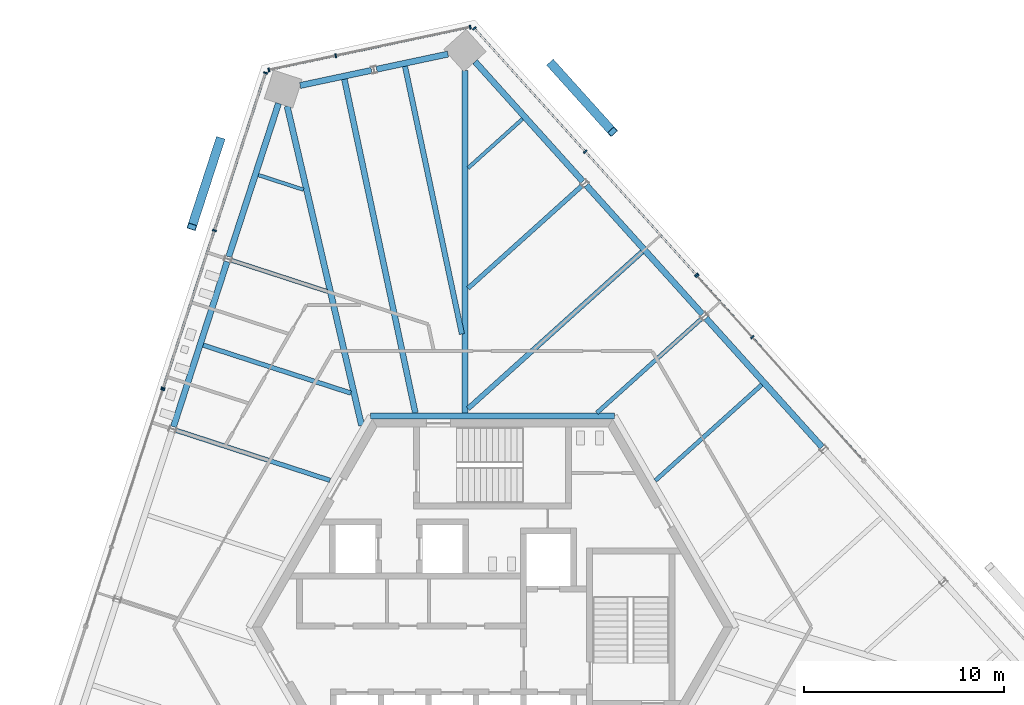
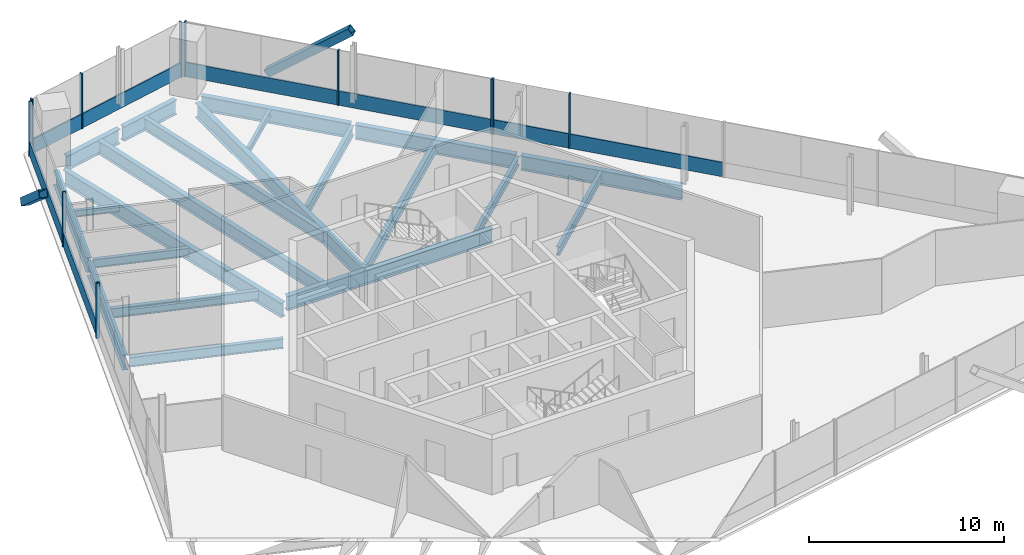
# One storey, part 7 of 14: 22 members, 21 beams, 5 elements without a shape of their own.
"""IFC4 building model written with IfcOpenShell, lengths in metres."""

from ifc_helpers import new_model, si_unit, direction, frame, origin, origin_2d, place, context, subcontext, project, spatial, rectangle, hollow_rectangle, i_section, extrude, source, transform, mapped, material, material_profile, profile_set, type_object, element, aggregate, save


model = new_model("IFC4")

# Units and contexts
model_context = context("Model", 3, precision=1e-05, world=origin(), true_north=direction((0.0, 1.0)))
body_context = subcontext(model_context, "Body", "Model", "MODEL_VIEW")
ifc_project = project(units=[si_unit("LENGTHUNIT", "METRE"), si_unit("AREAUNIT", "SQUARE_METRE"), si_unit("VOLUMEUNIT", "CUBIC_METRE"), si_unit("PLANEANGLEUNIT", "RADIAN"), si_unit("MASSUNIT", "GRAM", prefix="KILO")], contexts=[model_context])

# Site, building, storey
site_placement = place(None, origin())
site = spatial("IfcSite", under=ifc_project, at=site_placement, CompositionType="ELEMENT")
building_placement = place(site_placement, origin())
building = spatial("IfcBuilding", under=site, at=building_placement, Name="Triune Harvest Tower", CompositionType="ELEMENT")
storey_placement = place(building_placement, frame((0.0, 0.0, 263.10009765625)))
storey = spatial("IfcBuildingStorey", under=building, at=storey_placement, Name="L69", CompositionType="ELEMENT", Elevation=263.10009765625)

# Beams
ifc_material_1 = material(Name="Steel ASTM A992 Gr 50", Category="steel")
ifc_material_profile_1 = material_profile(ifc_material_1, i_section(OverallWidth=0.3046875, OverallDepth=0.914306640625, WebThickness=0.0166015625, FlangeThickness=0.02587890625, at=origin_2d()), Name="W36x160")
ifc_profile_set_1 = profile_set([ifc_material_profile_1], Name="Steel ASTM A992 Gr 50")
beam_type_1 = type_object("IfcBeamType", Name="CG-1 Core ring girder W36x160", PredefinedType="BEAM", material=ifc_profile_set_1)
shared_shape_1 = source(origin(), body_context, "Body", "SweptSolid", [
    extrude(i_section(OverallWidth=0.3046875, OverallDepth=0.914306640625, WebThickness=0.0166015625, FlangeThickness=0.02587890625, at=origin_2d()), origin(), (0.0, 0.0, 1.0), 12.17578125),
])
beam_1_placement = place(storey_placement, frame((6.087890625, 10.544677734375, -0.6171875), z_axis=(-1.0, 0.0, 0.0), x_axis=(0.0, -1.0, 0.0)))
element("IfcBeam", 1, at=beam_1_placement, inside=storey, type_object=beam_type_1, Name="beam/L69/CG2", PredefinedType="BEAM", context=body_context, shape_type="MappedRepresentation", body=[
    mapped(shared_shape_1, transform((0.0, 0.0, 0.0), scale=1.0)),
])
ifc_material_2 = material(Name="Steel ASTM A992 Gr 50", Category="steel")
ifc_material_profile_2 = material_profile(ifc_material_2, i_section(OverallWidth=0.3046875, OverallDepth=0.914306640625, WebThickness=0.0166015625, FlangeThickness=0.02587890625, at=origin_2d()), Name="W36x160")
ifc_profile_set_2 = profile_set([ifc_material_profile_2], Name="Steel ASTM A992 Gr 50")
beam_type_2 = type_object("IfcBeamType", Name="SB-1 Spandrel beam W36x160", PredefinedType="SPANDREL", material=ifc_profile_set_2)
shared_shape_2 = source(origin(), body_context, "Body", "SweptSolid", [
    extrude(i_section(OverallWidth=0.3046875, OverallDepth=0.914306640625, WebThickness=0.0166015625, FlangeThickness=0.02587890625, at=origin_2d()), origin(), (0.0, 0.0, 1.0), 8.0498046875),
])
for number, where, z_axis, x_axis, name in (
    (2, (4.511474609375, 22.25537109375, -0.6171875), (-0.669152382485, 0.743125217588, 0.0), (-0.743125217588, -0.669152382485, 0.0), "beam/L69/SB5"),
    (3, (-10.685791015625, 26.152099609375, -0.6171875), (-0.30902160762, -0.951055017348, 0.0), (0.951055017348, -0.30902160762, 0.0), "beam/L69/SB8"),
):
    element("IfcBeam", number, at=place(storey_placement, frame(where, z_axis=z_axis, x_axis=x_axis)), inside=storey, type_object=beam_type_2, Name=name, PredefinedType="SPANDREL", context=body_context, shape_type="MappedRepresentation", body=[
        mapped(shared_shape_2, transform((0.0, 0.0, 0.0), scale=1.0)),
    ])
shared_shape_3 = source(origin(), body_context, "Body", "SweptSolid", [
    extrude(i_section(OverallWidth=0.3046875, OverallDepth=0.914306640625, WebThickness=0.0166015625, FlangeThickness=0.02587890625, at=origin_2d()), origin(), (0.0, 0.0, 1.0), 8.671630859375),
])
beam_2_placement = place(storey_placement, frame((16.45947265625, 8.985595703125, -0.6171875), z_axis=(-0.669129593336, 0.743145737606, 0.0), x_axis=(-0.743145737606, -0.669129593336, 0.0)))
element("IfcBeam", 4, at=beam_2_placement, inside=storey, type_object=beam_type_2, Name="beam/L69/SB3", PredefinedType="SPANDREL", context=body_context, shape_type="MappedRepresentation", body=[
    mapped(shared_shape_3, transform((0.0, 0.0, 0.0), scale=1.0)),
])
shared_shape_4 = source(origin(), body_context, "Body", "SweptSolid", [
    extrude(i_section(OverallWidth=0.3046875, OverallDepth=0.914306640625, WebThickness=0.0166015625, FlangeThickness=0.02587890625, at=origin_2d()), origin(), (0.0, 0.0, 1.0), 8.67138671875),
])
for number, where, z_axis, x_axis, name in (
    (5, (10.4853515625, 15.62060546875, -0.6171875), (-0.669128044683, 0.743147132013, 0.0), (-0.743147132013, -0.669128044683, 0.0), "beam/L69/SB4"),
    (6, (-13.252685546875, 18.25244140625, -0.6171875), (-0.309022409974, -0.951054756643, 0.0), (0.951054756643, -0.309022409974, 0.0), "beam/L69/SB9"),
):
    element("IfcBeam", number, at=place(storey_placement, frame(where, z_axis=z_axis, x_axis=x_axis)), inside=storey, type_object=beam_type_2, Name=name, PredefinedType="SPANDREL", context=body_context, shape_type="MappedRepresentation", body=[
        mapped(shared_shape_4, transform((0.0, 0.0, 0.0), scale=1.0)),
    ])
shared_shape_5 = source(origin(), body_context, "Body", "SweptSolid", [
    extrude(i_section(OverallWidth=0.3046875, OverallDepth=0.914306640625, WebThickness=0.0166015625, FlangeThickness=0.02587890625, at=origin_2d()), origin(), (0.0, 0.0, 1.0), 3.645751953125),
])
beam_3_placement = place(storey_placement, frame((-2.223876953125, 28.61474609375, -0.6171875), z_axis=(-0.978145063506, -0.207923627178, 0.0), x_axis=(0.207923627178, -0.978145063506, 0.0)))
element("IfcBeam", 7, at=beam_3_placement, inside=storey, type_object=beam_type_2, Name="beam/L69/SB6", PredefinedType="SPANDREL", context=body_context, shape_type="MappedRepresentation", body=[
    mapped(shared_shape_5, transform((0.0, 0.0, 0.0), scale=1.0)),
])
shared_shape_6 = source(origin(), body_context, "Body", "SweptSolid", [
    extrude(i_section(OverallWidth=0.3046875, OverallDepth=0.914306640625, WebThickness=0.0166015625, FlangeThickness=0.02587890625, at=origin_2d()), origin(), (0.0, 0.0, 1.0), 3.6455078125),
])
beam_4_placement = place(storey_placement, frame((-6.041015625, 27.803466796875, -0.6171875), z_axis=(-0.978142168213, -0.207937247179, 0.0), x_axis=(0.207937247179, -0.978142168213, 0.0)))
element("IfcBeam", 8, at=beam_4_placement, inside=storey, type_object=beam_type_2, Name="beam/L69/SB7", PredefinedType="SPANDREL", context=body_context, shape_type="MappedRepresentation", body=[
    mapped(shared_shape_6, transform((0.0, 0.0, 0.0), scale=1.0)),
])
ifc_material_3 = material(Name="Steel ASTM A992 Gr 50", Category="steel")
ifc_material_profile_3 = material_profile(ifc_material_3, i_section(OverallWidth=0.3046875, OverallDepth=0.914306640625, WebThickness=0.0166015625, FlangeThickness=0.02587890625, at=origin_2d()), Name="W36x160")
ifc_profile_set_3 = profile_set([ifc_material_profile_3], Name="Steel ASTM A992 Gr 50")
beam_type_3 = type_object("IfcBeamType", Name="HG-3 Hip girder W36x160", PredefinedType="BEAM", material=ifc_profile_set_3)
shared_shape_7 = source(origin(), body_context, "Body", "SweptSolid", [
    extrude(i_section(OverallWidth=0.3046875, OverallDepth=0.914306640625, WebThickness=0.0166015625, FlangeThickness=0.02587890625, at=origin_2d()), origin(), (0.0, 0.0, 1.0), 17.088623046875),
])
beam_5_placement = place(storey_placement, frame((-1.376708984375, 27.78564453125, -0.6171875), z_axis=(0.0, -1.0, 0.0), x_axis=(1.0, 0.0, 0.0)))
element("IfcBeam", 9, at=beam_5_placement, inside=storey, type_object=beam_type_3, Name="beam/L69/HG2", PredefinedType="BEAM", context=body_context, shape_type="MappedRepresentation", body=[
    mapped(shared_shape_7, transform((0.0, 0.0, 0.0), scale=1.0)),
])
shared_shape_8 = source(origin(), body_context, "Body", "SweptSolid", [
    extrude(i_section(OverallWidth=0.3046875, OverallDepth=0.914306640625, WebThickness=0.0166015625, FlangeThickness=0.02587890625, at=origin_2d()), origin(), (0.0, 0.0, 1.0), 16.37060546875),
])
beam_6_placement = place(storey_placement, frame((-10.255126953125, 26.01220703125, -0.6171875), z_axis=(0.227026417792, -0.973888600213, 0.0), x_axis=(0.973888600213, 0.227026417792, 0.0)))
element("IfcBeam", 10, at=beam_6_placement, inside=storey, type_object=beam_type_3, Name="beam/L69/HG3", PredefinedType="BEAM", context=body_context, shape_type="MappedRepresentation", body=[
    mapped(shared_shape_8, transform((0.0, 0.0, 0.0), scale=1.0)),
])
ifc_material_4 = material(Name="Steel ASTM A992 Gr 50", Category="steel")
ifc_material_profile_4 = material_profile(ifc_material_4, i_section(OverallWidth=0.22900390625, OverallDepth=0.612060546875, WebThickness=0.011962890625, FlangeThickness=0.01953125, at=origin_2d()), Name="W24x84")
ifc_profile_set_4 = profile_set([ifc_material_profile_4], Name="Steel ASTM A992 Gr 50")
beam_type_4 = type_object("IfcBeamType", Name="JT-3 Floor joist W24x84", PredefinedType="JOIST", material=ifc_profile_set_4)
shared_shape_9 = source(origin(), body_context, "Body", "SweptSolid", [
    extrude(i_section(OverallWidth=0.22900390625, OverallDepth=0.612060546875, WebThickness=0.011962890625, FlangeThickness=0.01953125, at=origin_2d()), origin(), (0.0, 0.0, 1.0), 7.755126953125),
])
beam_7_placement = place(storey_placement, frame((-14.447509765625, 14.081787109375, -0.46630859375), z_axis=(0.951054888115, -0.309022005354, 0.0), x_axis=(0.309022005354, 0.951054888115, 0.0)))
element("IfcBeam", 11, at=beam_7_placement, inside=storey, type_object=beam_type_4, Name="beam/L69/JT14", PredefinedType="JOIST", context=body_context, shape_type="MappedRepresentation", body=[
    mapped(shared_shape_9, transform((0.0, 0.0, 0.0), scale=1.0)),
])
ifc_material_5 = material(Name="Steel ASTM A992 Gr 50", Category="steel")
ifc_material_profile_5 = material_profile(ifc_material_5, i_section(OverallWidth=0.2099609375, OverallDepth=0.535888671875, WebThickness=0.010986328125, FlangeThickness=0.017333984375, at=origin_2d()), Name="W21x68")
ifc_profile_set_5 = profile_set([ifc_material_profile_5], Name="Steel ASTM A992 Gr 50")
beam_type_5 = type_object("IfcBeamType", Name="JT-2 Floor joist W21x68", PredefinedType="JOIST", material=ifc_profile_set_5)
shared_shape_10 = source(origin(), body_context, "Body", "SweptSolid", [
    extrude(i_section(OverallWidth=0.2099609375, OverallDepth=0.535888671875, WebThickness=0.010986328125, FlangeThickness=0.017333984375, at=origin_2d()), origin(), (0.0, 0.0, 1.0), 7.155517578125),
])
beam_8_placement = place(storey_placement, frame((13.44482421875, 12.105712890625, -0.427978515625), z_axis=(-0.743139743978, -0.669136249892, 0.0), x_axis=(0.669136249892, -0.743139743978, 0.0)))
element("IfcBeam", 12, at=beam_8_placement, inside=storey, type_object=beam_type_5, Name="beam/L69/JT5", PredefinedType="JOIST", context=body_context, shape_type="MappedRepresentation", body=[
    mapped(shared_shape_10, transform((0.0, 0.0, 0.0), scale=1.0)),
])
shared_shape_11 = source(origin(), body_context, "Body", "SweptSolid", [
    extrude(i_section(OverallWidth=0.2099609375, OverallDepth=0.535888671875, WebThickness=0.010986328125, FlangeThickness=0.017333984375, at=origin_2d()), origin(), (0.0, 0.0, 1.0), 7.035400390625),
])
beam_9_placement = place(storey_placement, frame((10.437255859375, 15.404541015625, -0.427978515625), z_axis=(-0.743147458893, -0.669127681643, 0.0), x_axis=(0.669127681643, -0.743147458893, 0.0)))
element("IfcBeam", 13, at=beam_9_placement, inside=storey, type_object=beam_type_5, Name="beam/L69/JT6", PredefinedType="JOIST", context=body_context, shape_type="MappedRepresentation", body=[
    mapped(shared_shape_11, transform((0.0, 0.0, 0.0), scale=1.0)),
])
ifc_material_6 = material(Name="Steel ASTM A992 Gr 50", Category="steel")
ifc_material_profile_6 = material_profile(ifc_material_6, i_section(OverallWidth=0.253662109375, OverallDepth=0.683349609375, WebThickness=0.012451171875, FlangeThickness=0.01904296875, at=origin_2d()), Name="W27x94")
ifc_profile_set_6 = profile_set([ifc_material_profile_6], Name="Steel ASTM A992 Gr 50")
beam_type_6 = type_object("IfcBeamType", Name="JT-4 Floor joist W27x94", PredefinedType="JOIST", material=ifc_profile_set_6)
shared_shape_12 = source(origin(), body_context, "Body", "SweptSolid", [
    extrude(i_section(OverallWidth=0.253662109375, OverallDepth=0.683349609375, WebThickness=0.012451171875, FlangeThickness=0.01904296875, at=origin_2d()), origin(), (0.0, 0.0, 1.0), 11.70068359375),
])
beam_10_placement = place(storey_placement, frame((7.470947265625, 18.740478515625, -0.501708984375), z_axis=(-0.743153026809, -0.669121497745, 0.0), x_axis=(0.669121497745, -0.743153026809, 0.0)))
element("IfcBeam", 14, at=beam_10_placement, inside=storey, type_object=beam_type_6, Name="beam/L69/JT7", PredefinedType="JOIST", context=body_context, shape_type="MappedRepresentation", body=[
    mapped(shared_shape_12, transform((0.0, 0.0, 0.0), scale=1.0)),
])
shared_shape_13 = source(origin(), body_context, "Body", "SweptSolid", [
    extrude(i_section(OverallWidth=0.22900390625, OverallDepth=0.612060546875, WebThickness=0.011962890625, FlangeThickness=0.01953125, at=origin_2d()), origin(), (0.0, 0.0, 1.0), 7.6533203125),
])
beam_11_placement = place(storey_placement, frame((4.463134765625, 22.039306640625, -0.46630859375), z_axis=(-0.74314185307, -0.669133907537, 0.0), x_axis=(0.669133907537, -0.74314185307, 0.0)))
element("IfcBeam", 15, at=beam_11_placement, inside=storey, type_object=beam_type_4, Name="beam/L69/JT8", PredefinedType="JOIST", context=body_context, shape_type="MappedRepresentation", body=[
    mapped(shared_shape_13, transform((0.0, 0.0, 0.0), scale=1.0)),
])
ifc_material_7 = material(Name="Steel ASTM A992 Gr 50", Category="steel")
ifc_material_profile_7 = material_profile(ifc_material_7, i_section(OverallWidth=0.180908203125, OverallDepth=0.41650390625, WebThickness=0.010986328125, FlangeThickness=0.01806640625, at=origin_2d()), Name="W16x57")
ifc_profile_set_7 = profile_set([ifc_material_profile_7], Name="Steel ASTM A992 Gr 50")
beam_type_7 = type_object("IfcBeamType", Name="JT-1 Floor joist W16x57", PredefinedType="JOIST", material=ifc_profile_set_7)
shared_shape_14 = source(origin(), body_context, "Body", "SweptSolid", [
    extrude(i_section(OverallWidth=0.180908203125, OverallDepth=0.41650390625, WebThickness=0.010986328125, FlangeThickness=0.01806640625, at=origin_2d()), origin(), (0.0, 0.0, 1.0), 3.661865234375),
])
beam_12_placement = place(storey_placement, frame((1.496826171875, 25.37548828125, -0.368408203125), z_axis=(-0.743108471823, -0.669170978977, 0.0), x_axis=(0.669170978977, -0.743108471823, 0.0)))
element("IfcBeam", 16, at=beam_12_placement, inside=storey, type_object=beam_type_7, Name="beam/L69/JT9", PredefinedType="JOIST", context=body_context, shape_type="MappedRepresentation", body=[
    mapped(shared_shape_14, transform((0.0, 0.0, 0.0), scale=1.0)),
])
ifc_material_8 = material(Name="Steel ASTM A992 Gr 50", Category="steel")
ifc_material_profile_8 = material_profile(ifc_material_8, i_section(OverallWidth=0.2666015625, OverallDepth=0.7568359375, WebThickness=0.013916015625, FlangeThickness=0.019287109375, at=origin_2d()), Name="W30x108")
ifc_profile_set_8 = profile_set([ifc_material_profile_8], Name="Steel ASTM A992 Gr 50")
beam_type_8 = type_object("IfcBeamType", Name="JT-5 Floor joist W30x108", PredefinedType="JOIST", material=ifc_profile_set_8)
shared_shape_15 = source(origin(), body_context, "Body", "SweptSolid", [
    extrude(i_section(OverallWidth=0.2666015625, OverallDepth=0.7568359375, WebThickness=0.013916015625, FlangeThickness=0.019287109375, at=origin_2d()), origin(), (0.0, 0.0, 1.0), 13.66796875),
])
beam_13_placement = place(storey_placement, frame((-4.370849609375, 28.002685546875, -0.53857421875), z_axis=(0.207897850023, -0.978150542583, 0.0), x_axis=(0.978150542583, 0.207897850023, 0.0)))
element("IfcBeam", 17, at=beam_13_placement, inside=storey, type_object=beam_type_8, Name="beam/L69/JT10", PredefinedType="JOIST", context=body_context, shape_type="MappedRepresentation", body=[
    mapped(shared_shape_15, transform((0.0, 0.0, 0.0), scale=1.0)),
])
ifc_material_9 = material(Name="Steel ASTM A992 Gr 50", Category="steel")
ifc_material_profile_9 = material_profile(ifc_material_9, i_section(OverallWidth=0.2919921875, OverallDepth=0.8408203125, WebThickness=0.0146484375, FlangeThickness=0.021728515625, at=origin_2d()), Name="W33x130")
ifc_profile_set_9 = profile_set([ifc_material_profile_9], Name="Steel ASTM A992 Gr 50")
beam_type_9 = type_object("IfcBeamType", Name="JT-6 Floor joist W33x130", PredefinedType="JOIST", material=ifc_profile_set_9)
shared_shape_16 = source(origin(), body_context, "Body", "SweptSolid", [
    extrude(i_section(OverallWidth=0.2919921875, OverallDepth=0.8408203125, WebThickness=0.0146484375, FlangeThickness=0.021728515625, at=origin_2d()), origin(), (0.0, 0.0, 1.0), 17.034912109375),
])
beam_14_placement = place(storey_placement, frame((-7.396728515625, 27.359619140625, -0.58056640625), z_axis=(0.207911891923, -0.978147557988, 0.0), x_axis=(0.978147557988, 0.207911891923, 0.0)))
element("IfcBeam", 18, at=beam_14_placement, inside=storey, type_object=beam_type_9, Name="beam/L69/JT11", PredefinedType="JOIST", context=body_context, shape_type="MappedRepresentation", body=[
    mapped(shared_shape_16, transform((0.0, 0.0, 0.0), scale=1.0)),
])
shared_shape_17 = source(origin(), body_context, "Body", "SweptSolid", [
    extrude(i_section(OverallWidth=0.180908203125, OverallDepth=0.41650390625, WebThickness=0.010986328125, FlangeThickness=0.01806640625, at=origin_2d()), origin(), (0.0, 0.0, 1.0), 2.36474609375),
])
beam_15_placement = place(storey_placement, frame((-11.688720703125, 22.57275390625, -0.368408203125), z_axis=(0.951061378221, -0.309002030505, 0.0), x_axis=(0.309002030505, 0.951061378221, 0.0)))
element("IfcBeam", 19, at=beam_15_placement, inside=storey, type_object=beam_type_7, Name="beam/L69/JT12", PredefinedType="JOIST", context=body_context, shape_type="MappedRepresentation", body=[
    mapped(shared_shape_17, transform((0.0, 0.0, 0.0), scale=1.0)),
])
shared_shape_18 = source(origin(), body_context, "Body", "SweptSolid", [
    extrude(i_section(OverallWidth=0.2099609375, OverallDepth=0.535888671875, WebThickness=0.010986328125, FlangeThickness=0.017333984375, at=origin_2d()), origin(), (0.0, 0.0, 1.0), 5.0322265625),
])
beam_16_placement = place(storey_placement, frame((-13.04150390625, 18.318603515625, -0.427978515625), z_axis=(0.951062231031, -0.308999405674, 0.0), x_axis=(0.308999405674, 0.951062231031, 0.0)))
element("IfcBeam", 20, at=beam_16_placement, inside=storey, type_object=beam_type_5, Name="beam/L69/JT13", PredefinedType="JOIST", context=body_context, shape_type="MappedRepresentation", body=[
    mapped(shared_shape_18, transform((0.0, 0.0, 0.0), scale=1.0)),
])
shared_shape_19 = source(origin(), body_context, "Body", "SweptSolid", [
    extrude(i_section(OverallWidth=0.22900390625, OverallDepth=0.612060546875, WebThickness=0.011962890625, FlangeThickness=0.01953125, at=origin_2d()), origin(), (0.0, 0.0, 1.0), 8.07666015625),
])
beam_17_placement = place(storey_placement, frame((-15.80029296875, 9.82763671875, -0.46630859375), z_axis=(0.951056057917, -0.309018405114, 0.0), x_axis=(0.309018405114, 0.951056057917, 0.0)))
element("IfcBeam", 21, at=beam_17_placement, inside=storey, type_object=beam_type_4, Name="beam/L69/JT15", PredefinedType="JOIST", context=body_context, shape_type="MappedRepresentation", body=[
    mapped(shared_shape_19, transform((0.0, 0.0, 0.0), scale=1.0)),
])

# Members
ifc_material_10 = material(Name="Steel ASTM A572 Gr 50", Category="steel")
ifc_material_profile_10 = material_profile(ifc_material_10, hollow_rectangle(XDim=0.449951171875, YDim=0.449951171875, WallThickness=0.02490234375, at=origin_2d()), Name="Box 450x450x25")
ifc_profile_set_10 = profile_set([ifc_material_profile_10], Name="Steel ASTM A572 Gr 50")
member_type_1 = type_object("IfcMemberType", Name="BR-4 Brace Box 450x450x25", PredefinedType="BRACE", material=ifc_profile_set_10)
shared_shape_20 = source(origin(), body_context, "Body", "SweptSolid", [
    extrude(hollow_rectangle(XDim=0.449951171875, YDim=0.449951171875, WallThickness=0.02490234375, at=origin_2d()), origin(), (0.0, 0.0, 1.0), 5.789306640625),
])
member_1_placement = place(storey_placement, frame((-13.611083984375, 24.302734375, 0.0), z_axis=(-0.24202107794, -0.744829461331, 0.621815785716), x_axis=(0.951052269867, -0.30903006323, 0.0)))
element("IfcMember", 22, at=member_1_placement, inside=storey, type_object=member_type_1, Name="brace/B7-F3/d1/2", PredefinedType="BRACE", context=body_context, shape_type="MappedRepresentation", body=[
    mapped(shared_shape_20, transform((0.0, 0.0, 0.0), scale=1.0)),
])
shared_shape_21 = source(origin(), body_context, "Body", "SweptSolid", [
    extrude(hollow_rectangle(XDim=0.449951171875, YDim=0.449951171875, WallThickness=0.02490234375, at=origin_2d()), origin(), (0.0, 0.0, 1.0), 5.7890625),
])
member_2_placement = place(storey_placement, frame((2.95849609375, 28.105712890625, 0.0), z_axis=(0.52403773596, -0.581982999859, 0.621836183545), x_axis=(0.743133466604, 0.669143221451, 0.0)))
element("IfcMember", 23, at=member_2_placement, inside=storey, type_object=member_type_1, Name="brace/B7-F1/d2/2", PredefinedType="BRACE", context=body_context, shape_type="MappedRepresentation", body=[
    mapped(shared_shape_21, transform((0.0, 0.0, 0.0), scale=1.0)),
])

# Curtain wall, members
ifc_material_11 = material(Name="Aluminium bronze anodised", Category="aluminium")
curtain_wall_type_1 = type_object("IfcCurtainWallType", Name="CW-1 Tower stick curtain wall", PredefinedType="NOTDEFINED", material=ifc_material_11)
curtain_wall_1_placement = place(storey_placement, origin())
curtain_wall_1 = element("IfcCurtainWall", 24, at=curtain_wall_1_placement, inside=storey, type_object=curtain_wall_type_1, Name="CW-1 B7-F1 L69 run 1001")
ifc_material_12 = material(Name="Aluminium bronze anodised", Category="aluminium")
ifc_material_profile_11 = material_profile(ifc_material_12, rectangle(XDim=0.199951171875, YDim=0.074951171875, at=origin_2d()), Name="MU-1 mullion 75 x 200")
ifc_profile_set_11 = profile_set([ifc_material_profile_11], Name="Aluminium bronze anodised")
member_type_2 = type_object("IfcMemberType", Name="MU-1 mullion 75 x 200", PredefinedType="MULLION", material=ifc_profile_set_11)
shared_shape_22 = source(origin(), body_context, "Body", "SweptSolid", [
    extrude(rectangle(XDim=0.199951171875, YDim=0.074951171875, at=origin_2d()), origin(), (0.0, 0.0, 1.0), 3.43994140625),
])
member_3_placement = place(storey_placement, frame((12.974609375, 14.478515625, 0.0), z_axis=(0.0, 0.0, 1.0), x_axis=(-0.743150150549, -0.66912469222, 0.0)))
member_3 = element("IfcMember", 25, at=member_3_placement, type_object=member_type_2, Name="CW-1 mullion B7-F1 1001.3", PredefinedType="MULLION", context=body_context, shape_type="MappedRepresentation", body=[
    mapped(shared_shape_22, transform((0.0, 0.0, 0.0), scale=1.0)),
])
member_4_placement = place(storey_placement, frame((10.218994140625, 17.538818359375, 0.0), z_axis=(0.0, 0.0, 1.0), x_axis=(-0.743150150549, -0.66912469222, 0.0)))
member_4 = element("IfcMember", 26, at=member_4_placement, type_object=member_type_2, Name="CW-1 mullion B7-F1 1001.4", PredefinedType="MULLION", context=body_context, shape_type="MappedRepresentation", body=[
    mapped(shared_shape_22, transform((0.0, 0.0, 0.0), scale=1.0)),
])

ifc_material_13 = material(Name="Aluminium bronze anodised", Category="aluminium")
curtain_wall_type_2 = type_object("IfcCurtainWallType", Name="CW-7 Tower stick curtain wall with insulated spandrel infill", PredefinedType="NOTDEFINED", material=ifc_material_13)
curtain_wall_2_placement = place(storey_placement, origin())
curtain_wall_2 = element("IfcCurtainWall", 27, at=curtain_wall_2_placement, inside=storey, type_object=curtain_wall_type_2, Name="CW-7 B7-F1 L69 run 2001")
member_5_placement = place(storey_placement, frame((10.168701171875, 17.5947265625, 0.0), z_axis=(0.0, 0.0, 1.0), x_axis=(-0.743141787662, -0.66913398018, 0.0)))
member_5 = element("IfcMember", 28, at=member_5_placement, type_object=member_type_2, Name="CW-7 mullion B7-F1 2001.1", PredefinedType="MULLION", context=body_context, shape_type="MappedRepresentation", body=[
    mapped(shared_shape_22, transform((0.0, 0.0, 0.0), scale=1.0)),
])
member_6_placement = place(storey_placement, frame((4.63232421875, 23.743408203125, 0.0), z_axis=(0.0, 0.0, 1.0), x_axis=(-0.743141787662, -0.66913398018, 0.0)))
member_6 = element("IfcMember", 29, at=member_6_placement, type_object=member_type_2, Name="CW-7 mullion B7-F1 2001.3", PredefinedType="MULLION", context=body_context, shape_type="MappedRepresentation", body=[
    mapped(shared_shape_22, transform((0.0, 0.0, 0.0), scale=1.0)),
])
member_7_placement = place(storey_placement, frame((-0.904052734375, 29.892333984375, 0.0), z_axis=(0.0, 0.0, 1.0), x_axis=(-0.743141787662, -0.66913398018, 0.0)))
member_7 = element("IfcMember", 30, at=member_7_placement, type_object=member_type_2, Name="CW-7 mullion B7-F1 2001.5", PredefinedType="MULLION", context=body_context, shape_type="MappedRepresentation", body=[
    mapped(shared_shape_22, transform((0.0, 0.0, 0.0), scale=1.0)),
])

curtain_wall_3_placement = place(storey_placement, origin())
curtain_wall_3 = element("IfcCurtainWall", 31, at=curtain_wall_3_placement, inside=storey, type_object=curtain_wall_type_1, Name="CW-1 B7-F2 L69 run 1")
member_8_placement = place(storey_placement, frame((-1.114013671875, 29.96044921875, 0.0), z_axis=(0.0, 0.0, 1.0), x_axis=(0.207904739307, -0.978149078297, 0.0)))
member_8 = element("IfcMember", 32, at=member_8_placement, type_object=member_type_2, Name="CW-1 mullion B7-F2 1.1", PredefinedType="MULLION", context=body_context, shape_type="MappedRepresentation", body=[
    mapped(shared_shape_22, transform((0.0, 0.0, 0.0), scale=1.0)),
])
member_9_placement = place(storey_placement, frame((-7.8291015625, 28.533203125, 0.0), z_axis=(0.0, 0.0, 1.0), x_axis=(0.207904739307, -0.978149078297, 0.0)))
member_9 = element("IfcMember", 33, at=member_9_placement, type_object=member_type_2, Name="CW-1 mullion B7-F2 1.3", PredefinedType="MULLION", context=body_context, shape_type="MappedRepresentation", body=[
    mapped(shared_shape_22, transform((0.0, 0.0, 0.0), scale=1.0)),
])
member_10_placement = place(storey_placement, frame((-11.168212890625, 27.823486328125, 0.0), z_axis=(0.0, 0.0, 1.0), x_axis=(0.207904739307, -0.978149078297, 0.0)))
member_10 = element("IfcMember", 34, at=member_10_placement, type_object=member_type_2, Name="CW-1 mullion B7-F2 1.4", PredefinedType="MULLION", context=body_context, shape_type="MappedRepresentation", body=[
    mapped(shared_shape_22, transform((0.0, 0.0, 0.0), scale=1.0)),
])

curtain_wall_4_placement = place(storey_placement, origin())
curtain_wall_4 = element("IfcCurtainWall", 35, at=curtain_wall_4_placement, inside=storey, type_object=curtain_wall_type_2, Name="CW-7 B7-F3 L69 run 1")
member_11_placement = place(storey_placement, frame((-11.332275390625, 27.67578125, 0.0), z_axis=(0.0, 0.0, 1.0), x_axis=(0.951057638804, -0.309013539626, 0.0)))
member_11 = element("IfcMember", 36, at=member_11_placement, type_object=member_type_2, Name="CW-7 mullion B7-F3 1.1", PredefinedType="MULLION", context=body_context, shape_type="MappedRepresentation", body=[
    mapped(shared_shape_22, transform((0.0, 0.0, 0.0), scale=1.0)),
])
member_12_placement = place(storey_placement, frame((-13.88916015625, 19.806640625, 0.0), z_axis=(0.0, 0.0, 1.0), x_axis=(0.951057638804, -0.309013539626, 0.0)))
member_12 = element("IfcMember", 37, at=member_12_placement, type_object=member_type_2, Name="CW-7 mullion B7-F3 1.3", PredefinedType="MULLION", context=body_context, shape_type="MappedRepresentation", body=[
    mapped(shared_shape_22, transform((0.0, 0.0, 0.0), scale=1.0)),
])
member_13_placement = place(storey_placement, frame((-16.44580078125, 11.9375, 0.0), z_axis=(0.0, 0.0, 1.0), x_axis=(0.951057638804, -0.309013539626, 0.0)))
member_13 = element("IfcMember", 38, at=member_13_placement, type_object=member_type_2, Name="CW-7 mullion B7-F3 1.5", PredefinedType="MULLION", context=body_context, shape_type="MappedRepresentation", body=[
    mapped(shared_shape_22, transform((0.0, 0.0, 0.0), scale=1.0)),
])

# Curtain wall, member
curtain_wall_5_placement = place(storey_placement, origin())
curtain_wall_5 = element("IfcCurtainWall", 39, at=curtain_wall_5_placement, inside=storey, type_object=curtain_wall_type_1, Name="CW-1 B7-F3 L69 run 1001")
member_14_placement = place(storey_placement, frame((-16.468994140625, 11.8662109375, 0.0), z_axis=(0.0, 0.0, 1.0), x_axis=(0.951054284615, -0.309023862696, 0.0)))
member_14 = element("IfcMember", 40, at=member_14_placement, type_object=member_type_2, Name="CW-1 mullion B7-F3 1001.1", PredefinedType="MULLION", context=body_context, shape_type="MappedRepresentation", body=[
    mapped(shared_shape_22, transform((0.0, 0.0, 0.0), scale=1.0)),
])
aggregate(curtain_wall_5, [member_14])

# Member
ifc_material_14 = material(Name="Aluminium bronze anodised", Category="aluminium")
ifc_material_profile_12 = material_profile(ifc_material_14, rectangle(XDim=0.090087890625, YDim=0.89990234375, at=origin_2d()), Name="TR-1 transom 90 x 900")
ifc_profile_set_12 = profile_set([ifc_material_profile_12], Name="Aluminium bronze anodised")
member_type_3 = type_object("IfcMemberType", Name="TR-1 transom 90 x 900", PredefinedType="USERDEFINED", material=ifc_profile_set_12)
shared_shape_23 = source(origin(), body_context, "Body", "SweptSolid", [
    extrude(rectangle(XDim=0.090087890625, YDim=0.89990234375, at=origin_2d()), origin(), (0.0, 0.0, 1.0), 6.7900390625),
])
member_15_placement = place(storey_placement, frame((-1.15087890625, 29.95263671875, 0.449951171875), z_axis=(-0.978150442975, -0.207898318677, 0.0), x_axis=(0.207898318677, -0.978150442975, 0.0)))
member_15 = element("IfcMember", 41, at=member_15_placement, type_object=member_type_3, Name="CW-1 transom B7-F2 1.1", ObjectType="TRANSOM", PredefinedType="USERDEFINED", context=body_context, shape_type="MappedRepresentation", body=[
    mapped(shared_shape_23, transform((0.0, 0.0, 0.0), scale=1.0)),
])

shared_shape_24 = source(origin(), body_context, "Body", "SweptSolid", [
    extrude(rectangle(XDim=0.090087890625, YDim=0.89990234375, at=origin_2d()), origin(), (0.0, 0.0, 1.0), 3.3388671875),
])
member_16_placement = place(storey_placement, frame((-7.86572265625, 28.525390625, 0.449951171875), z_axis=(-0.978153089547, -0.207885866306, 0.0), x_axis=(0.207885866306, -0.978153089547, 0.0)))
member_16 = element("IfcMember", 42, at=member_16_placement, type_object=member_type_3, Name="CW-1 transom B7-F2 1.2", ObjectType="TRANSOM", PredefinedType="USERDEFINED", context=body_context, shape_type="MappedRepresentation", body=[
    mapped(shared_shape_24, transform((0.0, 0.0, 0.0), scale=1.0)),
])

aggregate(curtain_wall_3, [member_8, member_9, member_10, member_15, member_16])

shared_shape_25 = source(origin(), body_context, "Body", "SweptSolid", [
    extrude(rectangle(XDim=0.090087890625, YDim=0.89990234375, at=origin_2d()), origin(), (0.0, 0.0, 1.0), 8.198974609375),
])
member_17_placement = place(storey_placement, frame((18.48583984375, 8.357421875, 0.449951171875), z_axis=(-0.669109489038, 0.743163839055, 0.0), x_axis=(-0.743163839055, -0.669109489038, 0.0)))
member_17 = element("IfcMember", 43, at=member_17_placement, type_object=member_type_3, Name="CW-1 transom B7-F1 1001.1", ObjectType="TRANSOM", PredefinedType="USERDEFINED", context=body_context, shape_type="MappedRepresentation", body=[
    mapped(shared_shape_25, transform((0.0, 0.0, 0.0), scale=1.0)),
])

member_18_placement = place(storey_placement, frame((10.143798828125, 17.62255859375, 0.449951171875), z_axis=(-0.669140740537, 0.743135700497, 0.0), x_axis=(-0.743135700497, -0.669140740537, 0.0)))
member_18 = element("IfcMember", 44, at=member_18_placement, type_object=member_type_3, Name="CW-7 transom B7-F1 2001.1", ObjectType="TRANSOM", PredefinedType="USERDEFINED", context=body_context, shape_type="MappedRepresentation", body=[
    mapped(shared_shape_25, transform((0.0, 0.0, 0.0), scale=1.0)),
])

member_19_placement = place(storey_placement, frame((4.607177734375, 23.771240234375, 0.449951171875), z_axis=(-0.669109489038, 0.743163839055, 0.0), x_axis=(-0.743163839055, -0.669109489038, 0.0)))
member_19 = element("IfcMember", 45, at=member_19_placement, type_object=member_type_3, Name="CW-7 transom B7-F1 2001.2", ObjectType="TRANSOM", PredefinedType="USERDEFINED", context=body_context, shape_type="MappedRepresentation", body=[
    mapped(shared_shape_25, transform((0.0, 0.0, 0.0), scale=1.0)),
])

aggregate(curtain_wall_2, [member_5, member_6, member_7, member_18, member_19])

member_20_placement = place(storey_placement, frame((-11.343994140625, 27.64013671875, 0.449951171875), z_axis=(-0.308991809103, -0.951064699117, 0.0), x_axis=(0.951064699117, -0.308991809103, 0.0)))
member_20 = element("IfcMember", 46, at=member_20_placement, type_object=member_type_3, Name="CW-7 transom B7-F3 1.1", ObjectType="TRANSOM", PredefinedType="USERDEFINED", context=body_context, shape_type="MappedRepresentation", body=[
    mapped(shared_shape_25, transform((0.0, 0.0, 0.0), scale=1.0)),
])

shared_shape_26 = source(origin(), body_context, "Body", "SweptSolid", [
    extrude(rectangle(XDim=0.090087890625, YDim=0.89990234375, at=origin_2d()), origin(), (0.0, 0.0, 1.0), 4.043212890625),
])
member_21_placement = place(storey_placement, frame((12.949462890625, 14.50634765625, 0.449951171875), z_axis=(-0.669121516472, 0.743153009947, 0.0), x_axis=(-0.743153009947, -0.669121516472, 0.0)))
member_21 = element("IfcMember", 47, at=member_21_placement, type_object=member_type_3, Name="CW-1 transom B7-F1 1001.2", ObjectType="TRANSOM", PredefinedType="USERDEFINED", context=body_context, shape_type="MappedRepresentation", body=[
    mapped(shared_shape_26, transform((0.0, 0.0, 0.0), scale=1.0)),
])

aggregate(curtain_wall_1, [member_3, member_4, member_17, member_21])

shared_shape_27 = source(origin(), body_context, "Body", "SweptSolid", [
    extrude(rectangle(XDim=0.090087890625, YDim=0.89990234375, at=origin_2d()), origin(), (0.0, 0.0, 1.0), 8.19921875),
])
member_22_placement = place(storey_placement, frame((-13.900634765625, 19.77099609375, 0.449951171875), z_axis=(-0.309018742385, -0.951055948331, 0.0), x_axis=(0.951055948331, -0.309018742385, 0.0)))
member_22 = element("IfcMember", 48, at=member_22_placement, type_object=member_type_3, Name="CW-7 transom B7-F3 1.2", ObjectType="TRANSOM", PredefinedType="USERDEFINED", context=body_context, shape_type="MappedRepresentation", body=[
    mapped(shared_shape_27, transform((0.0, 0.0, 0.0), scale=1.0)),
])

aggregate(curtain_wall_4, [member_11, member_12, member_13, member_20, member_22])

save(model, "model.ifc")
